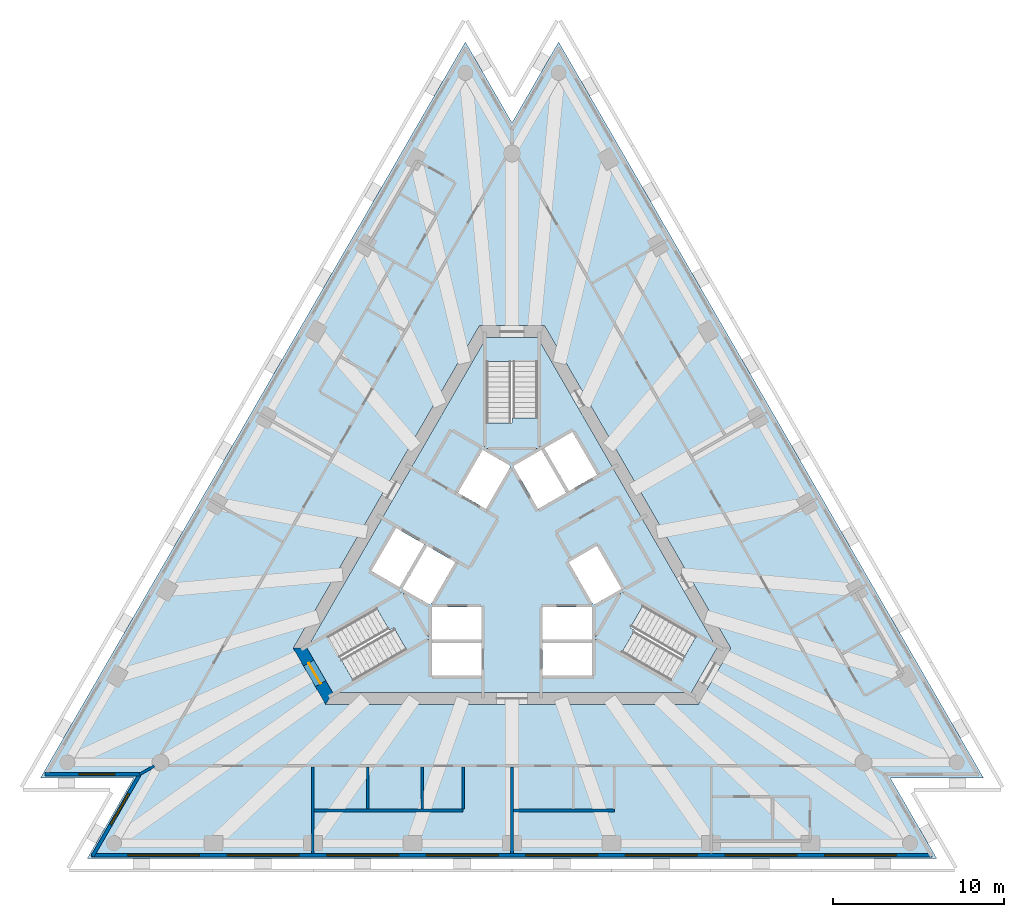
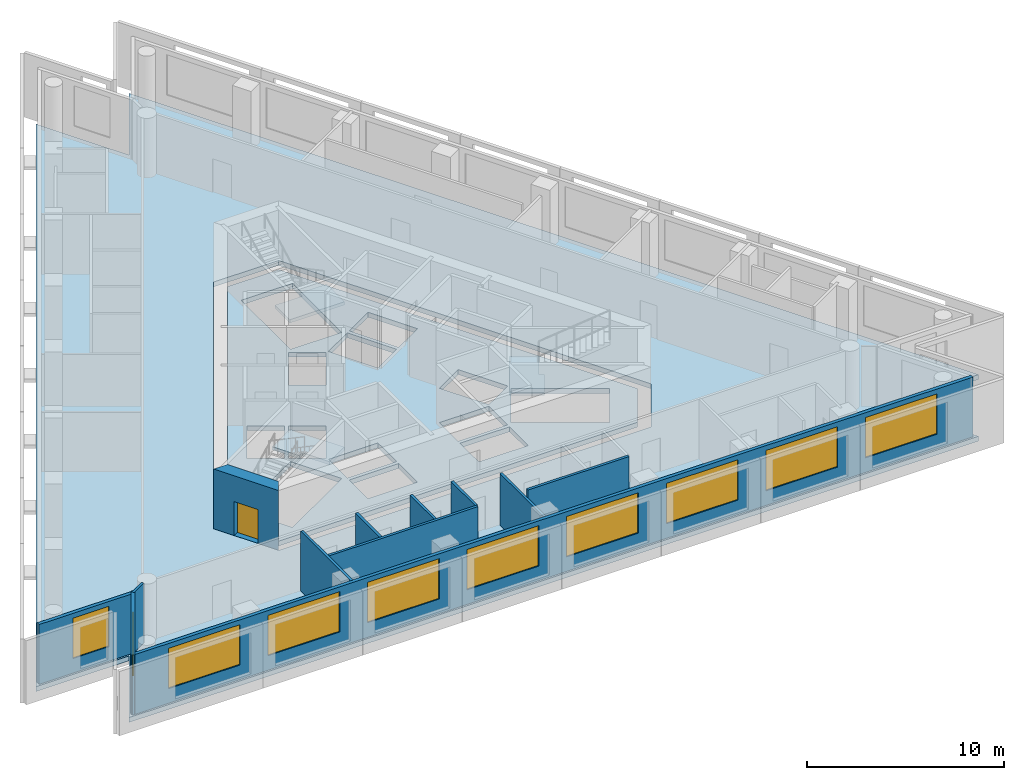
# One storey, part 2 of 10: 12 walls, 10 windows, 5 slabs, 1 door, 11 openings, 3 elements without a shape of their own.
"""IFC4 building model written with IfcOpenShell, lengths in metres."""

from ifc_helpers import new_model, si_unit, direction, frame, frame_2d, origin, place, context, subcontext, project, spatial, polyline, rectangle, outline, extrude, material, layer, layer_set, layer_usage, type_object, element, fill, aggregate, save


model = new_model("IFC4")

# Units and contexts
model_context = context("Model", 3, precision=1e-05, world=origin(), true_north=direction((0.0, 1.0)))
body_context = subcontext(model_context, "Body", "Model", "MODEL_VIEW")
ifc_project = project(units=[si_unit("LENGTHUNIT", "METRE"), si_unit("AREAUNIT", "SQUARE_METRE"), si_unit("VOLUMEUNIT", "CUBIC_METRE"), si_unit("PLANEANGLEUNIT", "RADIAN"), si_unit("MASSUNIT", "GRAM", prefix="KILO")], contexts=[model_context])

# Site, building, storey
site_placement = place(None, origin())
site = spatial("IfcSite", under=ifc_project, at=site_placement, CompositionType="ELEMENT")
building_placement = place(site_placement, origin())
building = spatial("IfcBuilding", under=site, at=building_placement, Name="Triada Interchange Tower", CompositionType="ELEMENT")
storey_placement = place(building_placement, frame((0.0, 0.0, 247.300048828125)))
storey = spatial("IfcBuildingStorey", under=building, at=storey_placement, Name="L58", CompositionType="ELEMENT", Elevation=247.300048828125)

# Slabs
ifc_material_1 = material(Name="Concrete C50/60", Category="concrete")
ifc_layer_1 = layer(ifc_material_1, 0.300048828125)
ifc_layer_set_1 = layer_set([ifc_layer_1], Name="Floor slab 300")
slab_type_1 = type_object("IfcSlabType", Name="Floor slab 300", PredefinedType="FLOOR", material=ifc_layer_set_1)
slab_1_placement = place(storey_placement, frame((0.0, 0.0, -0.300048828125)))
element("IfcSlab", 1, at=slab_1_placement, inside=storey, type_object=slab_type_1, Name="Floor slab L58", PredefinedType="FLOOR", context=body_context, shape_type="SweptSolid", body=[
    extrude(outline(polyline([(-2.73193359375, 30.31689453125), (-27.62109375, -12.79296875), (-22.156982421875, -12.79296875), (-24.888916015625, -17.52392578125), (24.888916015625, -17.52392578125), (22.156982421875, -12.79296875), (27.62109375, -12.79296875), (2.73193359375, 30.31689453125), (0.0, 25.5849609375), (-2.73193359375, 30.31689453125)]), holes=[polyline([(1.905029296875, 13.699951171875), (-1.905029296875, 13.699951171875), (-12.81689453125, -5.199951171875), (-10.912109375, -8.5), (10.912109375, -8.5), (12.81689453125, -5.199951171875), (1.905029296875, 13.699951171875)])]), origin(), (0.0, 0.0, 1.0), 0.300048828125),
])
slab_2_placement = place(storey_placement, frame((0.0, 0.0, -0.300048828125)))
element("IfcSlab", 2, at=slab_2_placement, inside=storey, type_object=slab_type_1, Name="Core floor slab L58 1", PredefinedType="FLOOR", context=body_context, shape_type="SweptSolid", body=[
    extrude(outline(polyline([(12.009033203125, -5.199951171875), (10.508056640625, -7.800048828125), (-10.508056640625, -7.800048828125), (-12.009033203125, -5.199951171875), (-1.5009765625, 13.0), (1.5009765625, 13.0), (12.009033203125, -5.199951171875)]), holes=[polyline([(9.2958984375, -7.09912109375), (10.7958984375, -4.5009765625), (6.466064453125, -2.0009765625), (4.966064453125, -4.59912109375), (9.2958984375, -7.09912109375)]), polyline([(4.77490234375, -2.669921875), (6.419921875, -1.719970703125), (4.969970703125, 0.791015625), (4.137939453125, 0.31103515625), (3.324951171875, -0.158935546875), (4.77490234375, -2.669921875)]), polyline([(1.89404296875, 6.52001953125), (3.343994140625, 4.009033203125), (4.989013671875, 4.958984375), (3.5390625, 7.469970703125), (1.89404296875, 6.52001953125)]), polyline([(1.800048828125, -4.89990234375), (1.800048828125, -6.4990234375), (1.800048828125, -6.800048828125), (4.699951171875, -6.800048828125), (4.699951171875, -4.89990234375), (1.800048828125, -4.89990234375)]), polyline([(4.699951171875, -2.800048828125), (1.800048828125, -2.800048828125), (1.800048828125, -4.699951171875), (4.699951171875, -4.699951171875), (4.699951171875, -2.800048828125)]), polyline([(0.074951171875, 5.469970703125), (1.52490234375, 2.958984375), (3.169921875, 3.908935546875), (1.719970703125, 6.419921875), (0.074951171875, 5.469970703125)]), polyline([(-1.5, 11.60009765625), (-1.5, 6.60009765625), (1.5, 6.60009765625), (1.5, 11.60009765625), (-1.5, 11.60009765625)]), polyline([(-1.52490234375, 2.958984375), (-0.074951171875, 5.469970703125), (-1.719970703125, 6.419921875), (-3.169921875, 3.908935546875), (-1.52490234375, 2.958984375)]), polyline([(-1.800048828125, -2.800048828125), (-4.699951171875, -2.800048828125), (-4.699951171875, -4.699951171875), (-1.800048828125, -4.699951171875), (-1.800048828125, -2.800048828125)]), polyline([(-4.699951171875, -6.800048828125), (-1.800048828125, -6.800048828125), (-1.800048828125, -6.4990234375), (-1.800048828125, -4.89990234375), (-4.699951171875, -4.89990234375), (-4.699951171875, -6.800048828125)]), polyline([(-3.367919921875, -0.134033203125), (-4.969970703125, 0.791015625), (-6.419921875, -1.719970703125), (-4.77490234375, -2.669921875), (-3.324951171875, -0.158935546875), (-3.367919921875, -0.134033203125)]), polyline([(-10.7958984375, -4.5009765625), (-9.2958984375, -7.09912109375), (-4.966064453125, -4.59912109375), (-6.466064453125, -2.0009765625), (-10.7958984375, -4.5009765625)]), polyline([(-6.593994140625, -1.6201171875), (-5.14404296875, 0.89111328125), (-6.7890625, 1.841064453125), (-8.239013671875, -0.669921875), (-6.593994140625, -1.6201171875)])]), origin(), (0.0, 0.0, 1.0), 0.300048828125),
])

# Stair, slab
ifc_material_2 = material(Name="Concrete C35/45", Category="concrete")
stair_type = type_object("IfcStairType", Name="HALF TURN STAIR 1400", PredefinedType="HALF_TURN_STAIR", material=ifc_material_2)
stair_1_placement = place(storey_placement, origin())
stair_1 = element("IfcStair", 3, at=stair_1_placement, inside=storey, type_object=stair_type, Name="Exit stair S56-1", PredefinedType="HALF_TURN_STAIR")
ifc_layer_2 = layer(ifc_material_2, 0.199951171875)
ifc_layer_set_2 = layer_set([ifc_layer_2], Name="STAIR LANDING 200")
slab_type_2 = type_object("IfcSlabType", Name="STAIR LANDING 200", PredefinedType="LANDING", material=ifc_layer_set_2)
slab_3_placement = place(storey_placement, frame((0.0, 0.0, 1.719970703125)))
slab_3 = element("IfcSlab", 4, at=slab_3_placement, type_object=slab_type_2, Name="S56-1 landing 1", PredefinedType="LANDING", context=body_context, shape_type="SweptSolid", body=[
    extrude(outline(polyline([(1.60009765625, 6.5), (1.60009765625, 8.300048828125), (0.0, 8.300048828125), (0.0, 8.0), (-1.60009765625, 8.0), (-1.60009765625, 6.5), (1.60009765625, 6.5)])), origin(), (0.0, 0.0, 1.0), 0.199951171875),
])
aggregate(stair_1, [slab_3])

stair_2_placement = place(storey_placement, origin())
stair_2 = element("IfcStair", 5, at=stair_2_placement, inside=storey, type_object=stair_type, Name="Exit stair S56-2", PredefinedType="HALF_TURN_STAIR")
slab_4_placement = place(storey_placement, frame((0.0, 0.0, 1.719970703125)))
slab_4 = element("IfcSlab", 6, at=slab_4_placement, type_object=slab_type_2, Name="S56-2 landing 1", PredefinedType="LANDING", context=body_context, shape_type="SweptSolid", body=[
    extrude(outline(polyline([(-6.428955078125, -1.864013671875), (-7.988037109375, -2.763916015625), (-7.18798828125, -4.14990234375), (-6.927978515625, -4.0), (-6.1279296875, -5.385986328125), (-4.8291015625, -4.635986328125), (-6.428955078125, -1.864013671875)])), origin(), (0.0, 0.0, 1.0), 0.199951171875),
])
aggregate(stair_2, [slab_4])

stair_3_placement = place(storey_placement, origin())
stair_3 = element("IfcStair", 7, at=stair_3_placement, inside=storey, type_object=stair_type, Name="Exit stair S56-3", PredefinedType="HALF_TURN_STAIR")
slab_5_placement = place(storey_placement, frame((0.0, 0.0, 1.719970703125)))
slab_5 = element("IfcSlab", 8, at=slab_5_placement, type_object=slab_type_2, Name="S56-3 landing 1", PredefinedType="LANDING", context=body_context, shape_type="SweptSolid", body=[
    extrude(outline(polyline([(4.8291015625, -4.635986328125), (6.387939453125, -5.535888671875), (7.18798828125, -4.14990234375), (6.927978515625, -4.0), (7.72802734375, -2.614013671875), (6.428955078125, -1.864013671875), (4.8291015625, -4.635986328125)])), origin(), (0.0, 0.0, 1.0), 0.199951171875),
])
aggregate(stair_3, [slab_5])

# Wall, opening, door
ifc_layer_3 = layer(ifc_material_1, 0.699951171875)
ifc_layer_set_3 = layer_set([ifc_layer_3], Name="Core wall C 700")
wall_type_1 = type_object("IfcWallType", Name="Core wall C 700", PredefinedType="SHEAR", material=ifc_layer_set_3)
wall_1_placement = place(storey_placement, frame((-12.4130859375, -5.199951171875, -0.300048828125), z_axis=(0.0, 0.0, 1.0), x_axis=(0.49999337185, -0.866029230515, 0.0)))
wall_1 = element("IfcWall", 9, at=wall_1_placement, inside=storey, type_object=wall_type_1, Name="Core wall WC03 L58", PredefinedType="SHEAR", context=body_context, shape_type="SweptSolid", body=[
    extrude(outline(polyline([(-0.201904296875, -0.35009765625), (1.703125, -0.35009765625), (3.60791015625, -0.35009765625), (3.2041015625, 0.35009765625), (1.703125, 0.35009765625), (0.201904296875, 0.35009765625), (-0.201904296875, -0.35009765625)])), origin(), (0.0, 0.0, 1.0), 4.0),
])
opening_1_placement = place(wall_1_placement, frame((1.0029296875, 0.0, 0.300048828125)))
opening_1 = element("IfcOpeningElement", 10, at=opening_1_placement, cuts=wall_1, Name="Opening D56-41", PredefinedType="OPENING", context=body_context, shape_type="SweptSolid", body=[
    extrude(rectangle(XDim=1.39990234375, YDim=2.10009765625, at=frame_2d((0.699951171875, 1.050048828125))), frame((0.0, 0.360107421875, 0.0), z_axis=(0.0, -1.0, 0.0), x_axis=(1.0, 0.0, 0.0)), (0.0, 0.0, 1.0), 0.72021484375),
])
ifc_material_3 = material(Name="Steel S235 door leaf", Category="steel")
door_type = type_object("IfcDoorType", Name="STAIR DOOR 1400 EI2 90-C5S200", OperationType="DOUBLE_DOOR_SINGLE_SWING", PredefinedType="DOOR", material=ifc_material_3)
door_placement = place(opening_1_placement, origin())
door = element("IfcDoor", 11, at=door_placement, inside=storey, type_object=door_type, Name="Door D56-41 L58", OperationType="DOUBLE_DOOR_SINGLE_SWING", OverallHeight=2.10009765625, OverallWidth=1.39990234375, PredefinedType="DOOR", context=body_context, shape_type="SweptSolid", body=[
    extrude(rectangle(XDim=1.39990234375, YDim=2.10009765625, at=frame_2d((0.699951171875, 1.050048828125))), frame((0.0, 0.02490234375, 0.0), z_axis=(0.0, -1.0, 0.0), x_axis=(1.0, 0.0, 0.0)), (0.0, 0.0, 1.0), 0.050048828125),
])
fill(opening_1, door)

# Wall, opening, window
ifc_material_4 = material(Name="Cement board")
ifc_layer_4 = layer(ifc_material_4, 0.02001953125, Name="Cement board cladding")
ifc_material_5 = material(Name="Sheathing board")
ifc_layer_5 = layer(ifc_material_5, 0.014892578125, Name="Sheathing board")
ifc_material_6 = material(Name="Mineral wool")
ifc_layer_6 = layer(ifc_material_6, 0.14990234375, Name="Mineral wool between steel studs")
ifc_material_7 = material(Name="Gypsum board")
ifc_layer_7 = layer(ifc_material_7, 0.014892578125, Name="Plasterboard lining")
ifc_layer_set_4 = layer_set([ifc_layer_4, ifc_layer_5, ifc_layer_6, ifc_layer_7], Name="External wall 200")
ifc_layer_usage = layer_usage(ifc_layer_set_4, "AXIS2", "POSITIVE", -0.10009765625)
wall_type_2 = type_object("IfcWallType", Name="External wall 200", PredefinedType="ELEMENTEDWALL", material=ifc_layer_set_4)
wall_2_placement = place(storey_placement, frame((-27.364990234375, -12.593017578125, 0.0), z_axis=(0.0, 0.0, 1.0), x_axis=(1.0, 0.0, 0.0)))
wall_2 = element("IfcWall", 12, at=wall_2_placement, inside=storey, type_object=wall_type_2, material=ifc_layer_usage, Name="External wall L58 SW-1", PredefinedType="ELEMENTEDWALL", context=body_context, shape_type="SweptSolid", body=[
    extrude(rectangle(XDim=5.6240234375, YDim=0.199951171875, at=frame_2d((2.81201171875, 0.0))), origin(), (0.0, 0.0, 1.0), 3.699951171875),
])
opening_2_placement = place(wall_2_placement, frame((1.989990234375, 0.0, 0.89990234375)))
opening_2 = element("IfcOpeningElement", 13, at=opening_2_placement, cuts=wall_2, Name="Opening WC09", PredefinedType="OPENING", context=body_context, shape_type="SweptSolid", body=[
    extrude(rectangle(XDim=2.10009765625, YDim=2.5, at=frame_2d((1.050048828125, 1.25))), frame((0.0, 0.10986328125, 0.0), z_axis=(0.0, -1.0, 0.0), x_axis=(1.0, 0.0, 0.0)), (0.0, 0.0, 1.0), 0.219970703125),
])
ifc_material_8 = material(Name="Double glazed aluminium window", Category="aluminium")
window_type_1 = type_object("IfcWindowType", Name="Ribbon window C pocket", PartitioningType="SINGLE_PANEL", PredefinedType="WINDOW", material=ifc_material_8)
window_1_placement = place(opening_2_placement, origin())
window_1 = element("IfcWindow", 14, at=window_1_placement, inside=storey, type_object=window_type_1, Name="Window L58 SW-1 1", OverallHeight=2.5, OverallWidth=2.10009765625, PartitioningType="SINGLE_PANEL", PredefinedType="WINDOW", context=body_context, shape_type="SweptSolid", body=[
    extrude(rectangle(XDim=2.10009765625, YDim=2.5, at=frame_2d((1.050048828125, 1.25))), frame((0.0, 0.030029296875, 0.0), z_axis=(0.0, -1.0, 0.0), x_axis=(1.0, 0.0, 0.0)), (0.0, 0.0, 1.0), 0.06005859375),
])
fill(opening_2, window_1)

wall_3_placement = place(storey_placement, frame((-21.76611328125, -12.514892578125, 0.0), z_axis=(0.0, 0.0, 1.0), x_axis=(-0.500000548001, -0.866025087395, 0.0)))
wall_3 = element("IfcWall", 15, at=wall_3_placement, inside=storey, type_object=wall_type_2, material=ifc_layer_usage, Name="External wall L58 SW-2", PredefinedType="ELEMENTEDWALL", context=body_context, shape_type="SweptSolid", body=[
    extrude(rectangle(XDim=5.62353515625, YDim=0.199951171875, at=frame_2d((2.811767578125, 0.0))), origin(), (0.0, 0.0, 1.0), 3.699951171875),
])
opening_3_placement = place(wall_3_placement, frame((1.389892578125, 0.0, 0.89990234375)))
opening_3 = element("IfcOpeningElement", 16, at=opening_3_placement, cuts=wall_3, Name="Opening WC10", PredefinedType="OPENING", context=body_context, shape_type="SweptSolid", body=[
    extrude(rectangle(XDim=2.10009765625, YDim=2.5, at=frame_2d((1.050048828125, 1.25))), frame((0.0, 0.10986328125, 0.0), z_axis=(0.0, -1.0, 0.0), x_axis=(1.0, 0.0, 0.0)), (0.0, 0.0, 1.0), 0.219970703125),
])
window_2_placement = place(opening_3_placement, origin())
window_2 = element("IfcWindow", 17, at=window_2_placement, inside=storey, type_object=window_type_1, Name="Window L58 SW-2 1", OverallHeight=2.5, OverallWidth=2.10009765625, PartitioningType="SINGLE_PANEL", PredefinedType="WINDOW", context=body_context, shape_type="SweptSolid", body=[
    extrude(rectangle(XDim=2.10009765625, YDim=2.5, at=frame_2d((1.050048828125, 1.25))), frame((0.0, 0.030029296875, 0.0), z_axis=(0.0, -1.0, 0.0), x_axis=(1.0, 0.0, 0.0)), (0.0, 0.0, 1.0), 0.06005859375),
])
fill(opening_3, window_2)

# Wall, openings, windows
wall_4_placement = place(storey_placement, frame((-24.633056640625, -17.323974609375, 0.0), z_axis=(0.0, 0.0, 1.0), x_axis=(1.0, 0.0, 0.0)))
wall_4 = element("IfcWall", 18, at=wall_4_placement, inside=storey, type_object=wall_type_2, material=ifc_layer_usage, Name="External wall L58 S", PredefinedType="ELEMENTEDWALL", context=body_context, shape_type="SweptSolid", body=[
    extrude(rectangle(XDim=49.24609375, YDim=0.199951171875, at=frame_2d((24.623046875, 0.0))), origin(), (0.0, 0.0, 1.0), 3.699951171875),
])
opening_4_placement = place(wall_4_placement, frame((2.118896484375, 0.0, 0.89990234375)))
opening_4 = element("IfcOpeningElement", 19, at=opening_4_placement, cuts=wall_4, Name="Opening WC11", PredefinedType="OPENING", context=body_context, shape_type="SweptSolid", body=[
    extrude(rectangle(XDim=4.199951171875, YDim=2.5, at=frame_2d((2.10009765625, 1.25))), frame((0.0, 0.10986328125, 0.0), z_axis=(0.0, -1.0, 0.0), x_axis=(1.0, 0.0, 0.0)), (0.0, 0.0, 1.0), 0.219970703125),
])
opening_5_placement = place(wall_4_placement, frame((7.951904296875, 0.0, 0.89990234375)))
opening_5 = element("IfcOpeningElement", 20, at=opening_5_placement, cuts=wall_4, Name="Opening WC12", PredefinedType="OPENING", context=body_context, shape_type="SweptSolid", body=[
    extrude(rectangle(XDim=4.199951171875, YDim=2.5, at=frame_2d((2.10009765625, 1.25))), frame((0.0, 0.10986328125, 0.0), z_axis=(0.0, -1.0, 0.0), x_axis=(1.0, 0.0, 0.0)), (0.0, 0.0, 1.0), 0.219970703125),
])
opening_6_placement = place(wall_4_placement, frame((13.783935546875, 0.0, 0.89990234375)))
opening_6 = element("IfcOpeningElement", 21, at=opening_6_placement, cuts=wall_4, Name="Opening WC13", PredefinedType="OPENING", context=body_context, shape_type="SweptSolid", body=[
    extrude(rectangle(XDim=4.199951171875, YDim=2.5, at=frame_2d((2.10009765625, 1.25))), frame((0.0, 0.10986328125, 0.0), z_axis=(0.0, -1.0, 0.0), x_axis=(1.0, 0.0, 0.0)), (0.0, 0.0, 1.0), 0.219970703125),
])
opening_7_placement = place(wall_4_placement, frame((19.616943359375, 0.0, 0.89990234375)))
opening_7 = element("IfcOpeningElement", 22, at=opening_7_placement, cuts=wall_4, Name="Opening WC14", PredefinedType="OPENING", context=body_context, shape_type="SweptSolid", body=[
    extrude(rectangle(XDim=4.199951171875, YDim=2.5, at=frame_2d((2.10009765625, 1.25))), frame((0.0, 0.10986328125, 0.0), z_axis=(0.0, -1.0, 0.0), x_axis=(1.0, 0.0, 0.0)), (0.0, 0.0, 1.0), 0.219970703125),
])
opening_8_placement = place(wall_4_placement, frame((25.448974609375, 0.0, 0.89990234375)))
opening_8 = element("IfcOpeningElement", 23, at=opening_8_placement, cuts=wall_4, Name="Opening WC15", PredefinedType="OPENING", context=body_context, shape_type="SweptSolid", body=[
    extrude(rectangle(XDim=4.199951171875, YDim=2.5, at=frame_2d((2.10009765625, 1.25))), frame((0.0, 0.10986328125, 0.0), z_axis=(0.0, -1.0, 0.0), x_axis=(1.0, 0.0, 0.0)), (0.0, 0.0, 1.0), 0.219970703125),
])
opening_9_placement = place(wall_4_placement, frame((31.281982421875, 0.0, 0.89990234375)))
opening_9 = element("IfcOpeningElement", 24, at=opening_9_placement, cuts=wall_4, Name="Opening WC16", PredefinedType="OPENING", context=body_context, shape_type="SweptSolid", body=[
    extrude(rectangle(XDim=4.199951171875, YDim=2.5, at=frame_2d((2.10009765625, 1.25))), frame((0.0, 0.10986328125, 0.0), z_axis=(0.0, -1.0, 0.0), x_axis=(1.0, 0.0, 0.0)), (0.0, 0.0, 1.0), 0.219970703125),
])
opening_10_placement = place(wall_4_placement, frame((37.114013671875, 0.0, 0.89990234375)))
opening_10 = element("IfcOpeningElement", 25, at=opening_10_placement, cuts=wall_4, Name="Opening WC17", PredefinedType="OPENING", context=body_context, shape_type="SweptSolid", body=[
    extrude(rectangle(XDim=4.199951171875, YDim=2.5, at=frame_2d((2.10009765625, 1.25))), frame((0.0, 0.10986328125, 0.0), z_axis=(0.0, -1.0, 0.0), x_axis=(1.0, 0.0, 0.0)), (0.0, 0.0, 1.0), 0.219970703125),
])
opening_11_placement = place(wall_4_placement, frame((42.947021484375, 0.0, 0.89990234375)))
opening_11 = element("IfcOpeningElement", 26, at=opening_11_placement, cuts=wall_4, Name="Opening WC18", PredefinedType="OPENING", context=body_context, shape_type="SweptSolid", body=[
    extrude(rectangle(XDim=4.199951171875, YDim=2.5, at=frame_2d((2.10009765625, 1.25))), frame((0.0, 0.10986328125, 0.0), z_axis=(0.0, -1.0, 0.0), x_axis=(1.0, 0.0, 0.0)), (0.0, 0.0, 1.0), 0.219970703125),
])
window_type_2 = type_object("IfcWindowType", Name="Ribbon window C face", PartitioningType="SINGLE_PANEL", PredefinedType="WINDOW", material=ifc_material_8)
window_3_placement = place(opening_4_placement, origin())
window_3 = element("IfcWindow", 27, at=window_3_placement, inside=storey, type_object=window_type_2, Name="Window L58 S 1", OverallHeight=2.5, OverallWidth=4.199951171875, PartitioningType="SINGLE_PANEL", PredefinedType="WINDOW", context=body_context, shape_type="SweptSolid", body=[
    extrude(rectangle(XDim=4.199951171875, YDim=2.5, at=frame_2d((2.10009765625, 1.25))), frame((0.0, 0.030029296875, 0.0), z_axis=(0.0, -1.0, 0.0), x_axis=(1.0, 0.0, 0.0)), (0.0, 0.0, 1.0), 0.06005859375),
])
fill(opening_4, window_3)
window_4_placement = place(opening_5_placement, origin())
window_4 = element("IfcWindow", 28, at=window_4_placement, inside=storey, type_object=window_type_2, Name="Window L58 S 2", OverallHeight=2.5, OverallWidth=4.199951171875, PartitioningType="SINGLE_PANEL", PredefinedType="WINDOW", context=body_context, shape_type="SweptSolid", body=[
    extrude(rectangle(XDim=4.199951171875, YDim=2.5, at=frame_2d((2.10009765625, 1.25))), frame((0.0, 0.030029296875, 0.0), z_axis=(0.0, -1.0, 0.0), x_axis=(1.0, 0.0, 0.0)), (0.0, 0.0, 1.0), 0.06005859375),
])
fill(opening_5, window_4)
window_5_placement = place(opening_6_placement, origin())
window_5 = element("IfcWindow", 29, at=window_5_placement, inside=storey, type_object=window_type_2, Name="Window L58 S 3", OverallHeight=2.5, OverallWidth=4.199951171875, PartitioningType="SINGLE_PANEL", PredefinedType="WINDOW", context=body_context, shape_type="SweptSolid", body=[
    extrude(rectangle(XDim=4.199951171875, YDim=2.5, at=frame_2d((2.10009765625, 1.25))), frame((0.0, 0.030029296875, 0.0), z_axis=(0.0, -1.0, 0.0), x_axis=(1.0, 0.0, 0.0)), (0.0, 0.0, 1.0), 0.06005859375),
])
fill(opening_6, window_5)
window_6_placement = place(opening_7_placement, origin())
window_6 = element("IfcWindow", 30, at=window_6_placement, inside=storey, type_object=window_type_2, Name="Window L58 S 4", OverallHeight=2.5, OverallWidth=4.199951171875, PartitioningType="SINGLE_PANEL", PredefinedType="WINDOW", context=body_context, shape_type="SweptSolid", body=[
    extrude(rectangle(XDim=4.199951171875, YDim=2.5, at=frame_2d((2.10009765625, 1.25))), frame((0.0, 0.030029296875, 0.0), z_axis=(0.0, -1.0, 0.0), x_axis=(1.0, 0.0, 0.0)), (0.0, 0.0, 1.0), 0.06005859375),
])
fill(opening_7, window_6)
window_7_placement = place(opening_8_placement, origin())
window_7 = element("IfcWindow", 31, at=window_7_placement, inside=storey, type_object=window_type_2, Name="Window L58 S 5", OverallHeight=2.5, OverallWidth=4.199951171875, PartitioningType="SINGLE_PANEL", PredefinedType="WINDOW", context=body_context, shape_type="SweptSolid", body=[
    extrude(rectangle(XDim=4.199951171875, YDim=2.5, at=frame_2d((2.10009765625, 1.25))), frame((0.0, 0.030029296875, 0.0), z_axis=(0.0, -1.0, 0.0), x_axis=(1.0, 0.0, 0.0)), (0.0, 0.0, 1.0), 0.06005859375),
])
fill(opening_8, window_7)
window_8_placement = place(opening_9_placement, origin())
window_8 = element("IfcWindow", 32, at=window_8_placement, inside=storey, type_object=window_type_2, Name="Window L58 S 6", OverallHeight=2.5, OverallWidth=4.199951171875, PartitioningType="SINGLE_PANEL", PredefinedType="WINDOW", context=body_context, shape_type="SweptSolid", body=[
    extrude(rectangle(XDim=4.199951171875, YDim=2.5, at=frame_2d((2.10009765625, 1.25))), frame((0.0, 0.030029296875, 0.0), z_axis=(0.0, -1.0, 0.0), x_axis=(1.0, 0.0, 0.0)), (0.0, 0.0, 1.0), 0.06005859375),
])
fill(opening_9, window_8)
window_9_placement = place(opening_10_placement, origin())
window_9 = element("IfcWindow", 33, at=window_9_placement, inside=storey, type_object=window_type_2, Name="Window L58 S 7", OverallHeight=2.5, OverallWidth=4.199951171875, PartitioningType="SINGLE_PANEL", PredefinedType="WINDOW", context=body_context, shape_type="SweptSolid", body=[
    extrude(rectangle(XDim=4.199951171875, YDim=2.5, at=frame_2d((2.10009765625, 1.25))), frame((0.0, 0.030029296875, 0.0), z_axis=(0.0, -1.0, 0.0), x_axis=(1.0, 0.0, 0.0)), (0.0, 0.0, 1.0), 0.06005859375),
])
fill(opening_10, window_9)
window_10_placement = place(opening_11_placement, origin())
window_10 = element("IfcWindow", 34, at=window_10_placement, inside=storey, type_object=window_type_2, Name="Window L58 S 8", OverallHeight=2.5, OverallWidth=4.199951171875, PartitioningType="SINGLE_PANEL", PredefinedType="WINDOW", context=body_context, shape_type="SweptSolid", body=[
    extrude(rectangle(XDim=4.199951171875, YDim=2.5, at=frame_2d((2.10009765625, 1.25))), frame((0.0, 0.030029296875, 0.0), z_axis=(0.0, -1.0, 0.0), x_axis=(1.0, 0.0, 0.0)), (0.0, 0.0, 1.0), 0.06005859375),
])
fill(opening_11, window_10)

# Walls
ifc_material_9 = material(Name="Gypsum board partition")
ifc_layer_8 = layer(ifc_material_9, 0.14990234375)
ifc_layer_set_5 = layer_set([ifc_layer_8], Name="PARTITION 150 EI 180")
wall_type_3 = type_object("IfcWallType", Name="PARTITION 150 EI 180", PredefinedType="PARTITIONING", material=ifc_layer_set_5)
wall_5_placement = place(storey_placement, frame((-21.81103515625, -12.593017578125, 0.0), z_axis=(0.0, 0.0, 1.0), x_axis=(0.866086641072, 0.499893918903, 0.0)))
element("IfcWall", 35, at=wall_5_placement, inside=storey, type_object=wall_type_3, Name="Wall L56 1", PredefinedType="PARTITIONING", context=body_context, shape_type="SweptSolid", body=[
    extrude(rectangle(XDim=0.986083984375, YDim=0.14990234375, at=frame_2d((0.4931640625, 0.0))), origin(), (0.0, 0.0, 1.0), 3.699951171875),
])
wall_6_placement = place(storey_placement, frame((-11.6650390625, -17.243896484375, 0.0), z_axis=(0.0, 0.0, 1.0), x_axis=(0.0, 1.0, 0.0)))
element("IfcWall", 36, at=wall_6_placement, inside=storey, type_object=wall_type_3, Name="Wall L56 8", PredefinedType="PARTITIONING", context=body_context, shape_type="SweptSolid", body=[
    extrude(rectangle(XDim=5.06884765625, YDim=0.14990234375, at=frame_2d((2.534423828125, 0.0))), origin(), (0.0, 0.0, 1.0), 3.699951171875),
])
wall_7_placement = place(storey_placement, frame((-11.590087890625, -14.7119140625, 0.0), z_axis=(0.0, 0.0, 1.0), x_axis=(1.0, 0.0, 0.0)))
element("IfcWall", 37, at=wall_7_placement, inside=storey, type_object=wall_type_3, Name="Wall L56 9", PredefinedType="PARTITIONING", context=body_context, shape_type="SweptSolid", body=[
    extrude(rectangle(XDim=8.72509765625, YDim=0.14990234375, at=frame_2d((4.362548828125, 0.0))), origin(), (0.0, 0.0, 1.0), 3.699951171875),
])
wall_8_placement = place(storey_placement, frame((0.074951171875, -14.7119140625, 0.0), z_axis=(0.0, 0.0, 1.0), x_axis=(1.0, 0.0, 0.0)))
element("IfcWall", 38, at=wall_8_placement, inside=storey, type_object=wall_type_3, Name="Wall L56 10", PredefinedType="PARTITIONING", context=body_context, shape_type="SweptSolid", body=[
    extrude(rectangle(XDim=5.925048828125, YDim=0.14990234375, at=frame_2d((2.96240234375, 0.0))), origin(), (0.0, 0.0, 1.0), 3.699951171875),
])
for number, where, z_axis, x_axis, name in (
    (39, (-8.465087890625, -14.636962890625, 0.0), (0.0, 0.0, 1.0), (0.0, 1.0, 0.0), "Wall L56 16"),
    (40, (-2.864990234375, -14.636962890625, 0.0), (0.0, 0.0, 1.0), (0.0, 1.0, 0.0), "Wall L56 17"),
    (41, (-5.264892578125, -14.636962890625, 0.0), (0.0, 0.0, 1.0), (0.0, 1.0, 0.0), "Wall L56 18"),
):
    element("IfcWall", number, at=place(storey_placement, frame(where, z_axis=z_axis, x_axis=x_axis)), inside=storey, type_object=wall_type_3, Name=name, PredefinedType="PARTITIONING", context=body_context, shape_type="SweptSolid", body=[
        extrude(rectangle(XDim=2.4619140625, YDim=0.14990234375, at=frame_2d((1.23095703125, 0.0))), origin(), (0.0, 0.0, 1.0), 3.699951171875),
    ])
wall_9_placement = place(storey_placement, frame((0.0, -17.243896484375, 0.0), z_axis=(0.0, 0.0, 1.0), x_axis=(0.0, 1.0, 0.0)))
element("IfcWall", 42, at=wall_9_placement, inside=storey, type_object=wall_type_3, Name="Wall L56 19", PredefinedType="PARTITIONING", context=body_context, shape_type="SweptSolid", body=[
    extrude(rectangle(XDim=5.06884765625, YDim=0.14990234375, at=frame_2d((2.534423828125, 0.0))), origin(), (0.0, 0.0, 1.0), 3.199951171875),
])

save(model, "model.ifc")
